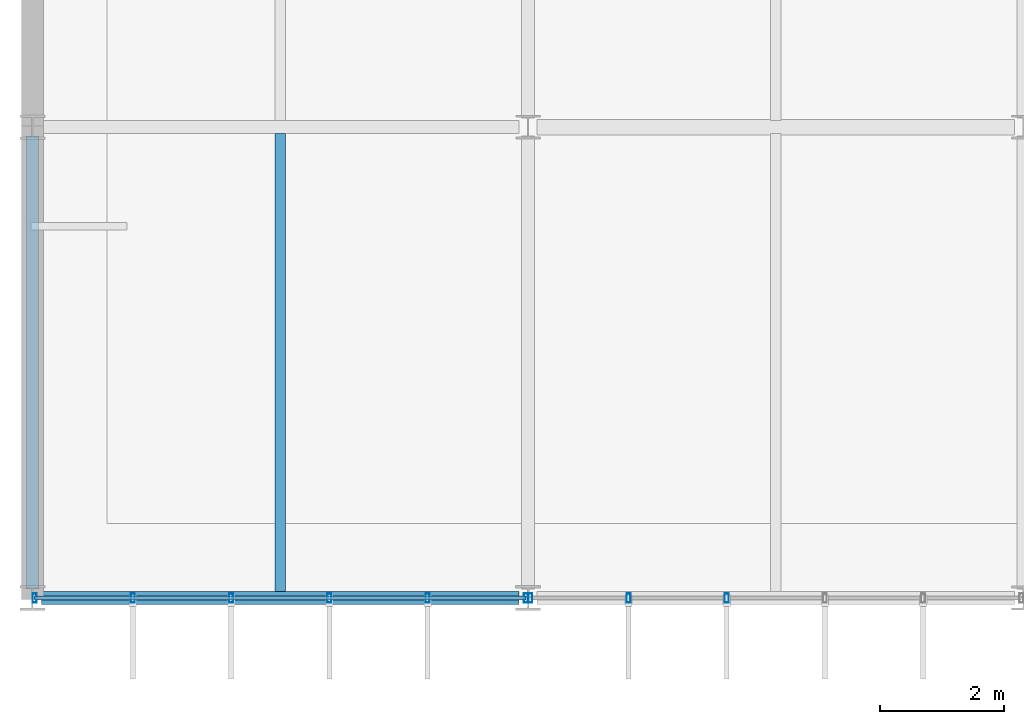
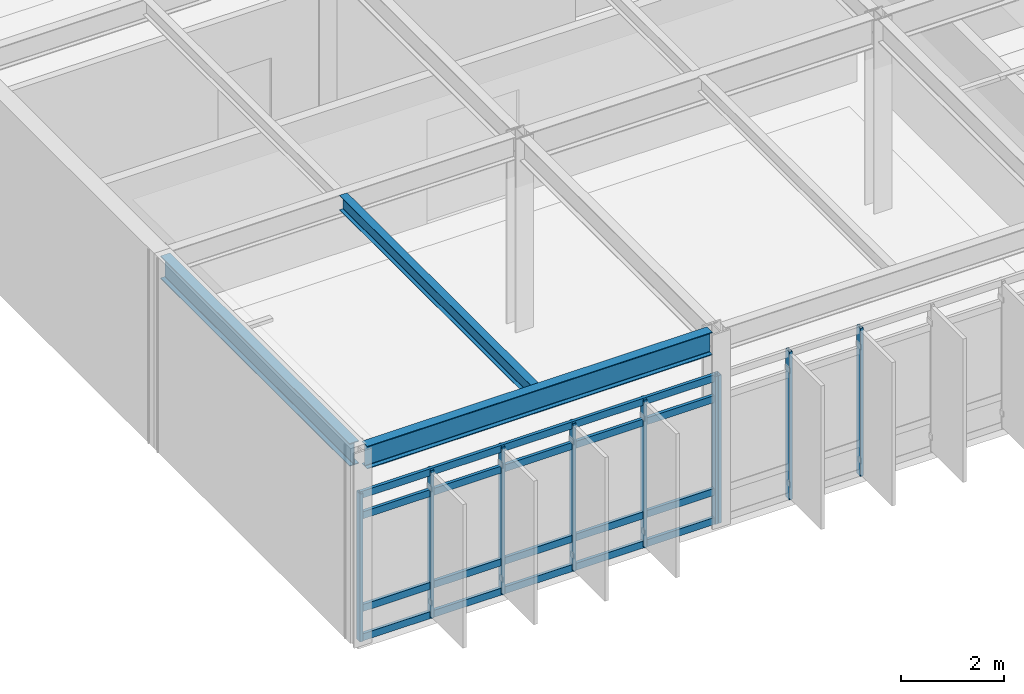
# One storey, part 19 of 104: 13 members, 3 beams, 2 elements without a shape of their own.
"""IFC4 building model written with IfcOpenShell, lengths in metres."""

import ifcopenshell
import ifcopenshell.guid

model = None  # the IFC model being written
_history = None  # IfcOwnerHistory: only IFC2X3 demands one
_inside = {}  # id of a spatial element -> (the spatial element, [elements in it])
_under = {}  # id of a project, library or spatial element -> (it, [spatial elements below it])
_declared = {}  # id of a project -> (the project, [libraries it declares])
_typed = {}  # id of a type object -> (the type object, [elements of that type])
_made_of = {}  # id of a material, layer set ... -> (it, [elements and type objects made of it])


def new_model(schema):
    """Start an empty IFC model of exactly this schema.

    Asked for "IFC4X3", IfcOpenShell would pick the latest addendum, in which some entities
    have other attributes; the version numbers below select the first issue.
    IFC2X3 requires an IfcOwnerHistory on every rooted entity: one is made here for all.
    """
    global model, _history
    if schema == "IFC4X3":
        model = ifcopenshell.file(schema_version=(4, 3, 0, 0))
    else:
        model = ifcopenshell.file(schema=schema)
    _inside.clear()
    _under.clear()
    _declared.clear()
    _typed.clear()
    _made_of.clear()
    _history = None
    if model.schema == "IFC2X3":
        org = make("IfcOrganization", Name="unknown")
        user = make(
            "IfcPersonAndOrganization",
            ThePerson=make("IfcPerson", FamilyName="unknown"),
            TheOrganization=org,
        )
        app = make(
            "IfcApplication",
            ApplicationDeveloper=org,
            Version="unknown",
            ApplicationFullName="unknown",
            ApplicationIdentifier="unknown",
        )
        _history = make(
            "IfcOwnerHistory",
            OwningUser=user,
            OwningApplication=app,
            ChangeAction="ADDED",
            CreationDate=0,
        )
    return model


def make(cls, **values):
    """One entity of the class cls with the attributes given. An attribute that is None is left unset."""
    return model.create_entity(
        cls, **{name: value for name, value in values.items() if value is not None}
    )


def rooted(cls, **values):
    """An entity with a GlobalId (a new one), such as an element, a storey or a relation."""
    return make(cls, GlobalId=ifcopenshell.guid.new(), OwnerHistory=_history, **values)


def si_unit(unit_type, name, prefix=None):
    """IfcSIUnit, for example si_unit("LENGTHUNIT", "METRE", prefix="MILLI")."""
    return make("IfcSIUnit", UnitType=unit_type, Prefix=prefix, Name=name)


def assignment(units):
    """IfcUnitAssignment: the units of a project."""
    return None if units is None else make("IfcUnitAssignment", Units=units)


def point(xyz):
    """IfcCartesianPoint."""
    return None if xyz is None else make("IfcCartesianPoint", Coordinates=xyz)


def direction(xyz):
    """IfcDirection."""
    return None if xyz is None else make("IfcDirection", DirectionRatios=xyz)


def frame(location, z_axis=None, x_axis=None):
    """IfcAxis2Placement3D, a coordinate frame: its origin and axes. An axis left out is left unset."""
    return make(
        "IfcAxis2Placement3D",
        Location=point(location),
        Axis=direction(z_axis),
        RefDirection=direction(x_axis),
    )


def frame_2d(location, x_axis=None):
    """IfcAxis2Placement2D, a coordinate frame in the plane: its origin and x axis."""
    return make(
        "IfcAxis2Placement2D", Location=point(location), RefDirection=direction(x_axis)
    )


def origin():
    """The frame at (0, 0, 0) with its axes left unset."""
    return frame((0.0, 0.0, 0.0))


def origin_2d():
    """The frame at (0, 0) in the plane with its x axis left unset."""
    return frame_2d((0.0, 0.0))


def place(relative_to, where):
    """IfcLocalPlacement: puts the frame where relative to a parent placement (None: the world)."""
    return make(
        "IfcLocalPlacement", PlacementRelTo=relative_to, RelativePlacement=where
    )


def context(
    kind, dimensions, precision=None, world=None, true_north=None, identifier=None
):
    """IfcGeometricRepresentationContext, for example the 3D "Model" context."""
    return make(
        "IfcGeometricRepresentationContext",
        ContextIdentifier=identifier,
        ContextType=kind,
        CoordinateSpaceDimension=dimensions,
        Precision=precision,
        WorldCoordinateSystem=world,
        TrueNorth=true_north,
    )


def subcontext(parent, identifier, kind, view, scale=None):
    """IfcGeometricRepresentationSubContext, for example "Body" below "Model"."""
    return make(
        "IfcGeometricRepresentationSubContext",
        ContextIdentifier=identifier,
        ContextType=kind,
        ParentContext=parent,
        TargetScale=scale,
        TargetView=view,
    )


def project(units=None, contexts=None):
    """IfcProject with its units and contexts."""
    return rooted(
        "IfcProject",
        Name="project",
        RepresentationContexts=contexts,
        UnitsInContext=assignment(units),
    )


def spatial(cls, under=None, at=None, **own):
    """A site, building, storey or space (cls), placed at a placement, below another one or the project."""
    s = rooted(cls, ObjectPlacement=at, **own)
    if under is not None:
        _under.setdefault(under.id(), (under, []))[1].append(s)
    return s


def profile(cls, at=None, kind="AREA", **sizes):
    """A parametric profile (cls). Its sizes go by their IFC names, for example OverallWidth=200.0."""
    return make(cls, ProfileType=kind, Position=at, **sizes)


def hollow_rectangle(**sizes):
    """IfcRectangleHollowProfileDef."""
    return profile("IfcRectangleHollowProfileDef", **sizes)


def i_section(**sizes):
    """IfcIShapeProfileDef."""
    return profile("IfcIShapeProfileDef", **sizes)


def extrude(swept, where, along, depth):
    """IfcExtrudedAreaSolid: the profile swept, set in the frame where, extruded along a direction by depth."""
    return make(
        "IfcExtrudedAreaSolid",
        SweptArea=swept,
        Position=where,
        ExtrudedDirection=direction(along),
        Depth=depth,
    )


def shape(context_of_items, identifier, shape_type, items):
    """IfcShapeRepresentation: the items that make up one representation, for example the "Body"."""
    return make(
        "IfcShapeRepresentation",
        ContextOfItems=context_of_items,
        RepresentationIdentifier=identifier,
        RepresentationType=shape_type,
        Items=items,
    )


def material(Name=None, Category=None):
    """IfcMaterial."""
    return make("IfcMaterial", Name=Name, Category=Category)


def material_profile(
    of_material, cross_section, Name=None, Category=None, Priority=None
):
    """IfcMaterialProfile: a cross section and its material."""
    return make(
        "IfcMaterialProfile",
        Name=Name,
        Material=of_material,
        Profile=cross_section,
        Priority=Priority,
        Category=Category,
    )


def profile_set(profiles, Name=None, composite=None):
    """IfcMaterialProfileSet."""
    return make(
        "IfcMaterialProfileSet",
        Name=Name,
        MaterialProfiles=profiles,
        CompositeProfile=composite,
    )


def made_of(thing, what):
    """Note that an element or type object is made of a material, layer set ...; save() writes the relation."""
    if what is not None:
        _made_of.setdefault(what.id(), (what, []))[1].append(thing)
    return thing


def type_object(cls, material=None, **own):
    """A type object (cls), such as IfcWallType, which elements share."""
    return made_of(rooted(cls, **own), material)


def element(
    cls,
    number,
    at=None,
    inside=None,
    cuts=None,
    type_object=None,
    material=None,
    context=None,
    identifier="Body",
    shape_type=None,
    held_by="IfcProductDefinitionShape",
    body=None,
    shapes=None,
    **own,
):
    """One element of the class cls, such as IfcWall. Its Tag is "e" and its number.

    at: its placement. inside: the storey or other place that contains it. cuts: it is an
    opening in that element (IfcRelVoidsElement). A single representation is given by context,
    identifier, shape_type and body (its items); several are given by shapes. held_by: the class
    of the entity that holds the representations. save() writes the other relations.
    """
    e = rooted(cls, Tag="e%d" % number, ObjectPlacement=at, **own)
    if body is not None:
        shapes = [shape(context, identifier, shape_type, body)]
    if shapes is not None:
        e.Representation = make(held_by, Representations=shapes)
    if inside is not None:
        _inside.setdefault(inside.id(), (inside, []))[1].append(e)
    if cuts is not None:
        rooted(
            "IfcRelVoidsElement", RelatingBuildingElement=cuts, RelatedOpeningElement=e
        )
    if type_object is not None:
        _typed.setdefault(type_object.id(), (type_object, []))[1].append(e)
    return made_of(e, material)


def aggregate(whole, parts):
    """IfcRelAggregates: a whole, such as a stair, and the parts it consists of."""
    return rooted("IfcRelAggregates", RelatingObject=whole, RelatedObjects=parts)


def save(model, path):
    """Write the relations noted so far, then the file.

    IfcRelAggregates (storeys below a building ...), IfcRelContainedInSpatialStructure (elements
    in a storey), IfcRelDefinesByType, IfcRelAssociatesMaterial and IfcRelDeclares: one each for
    every whole, place, type object, material and project.
    """
    for whole, parts in _under.values():
        aggregate(whole, parts)
    for where, things in _inside.values():
        rooted(
            "IfcRelContainedInSpatialStructure",
            RelatedElements=things,
            RelatingStructure=where,
        )
    for kind, things in _typed.values():
        rooted("IfcRelDefinesByType", RelatedObjects=things, RelatingType=kind)
    for what, things in _made_of.values():
        rooted("IfcRelAssociatesMaterial", RelatedObjects=things, RelatingMaterial=what)
    for by, libraries in _declared.values():
        rooted("IfcRelDeclares", RelatingContext=by, RelatedDefinitions=libraries)
    model.write(path)


model = new_model("IFC4")

# Units and contexts
model_context = context("Model", 3, precision=1e-05, world=origin(), true_north=direction((0.0, 1.0)))
body_context = subcontext(model_context, "Body", "Model", "MODEL_VIEW")
ifc_project = project(units=[si_unit("LENGTHUNIT", "METRE"), si_unit("AREAUNIT", "SQUARE_METRE"), si_unit("VOLUMEUNIT", "CUBIC_METRE"), si_unit("PLANEANGLEUNIT", "RADIAN"), si_unit("MASSUNIT", "GRAM", prefix="KILO")], contexts=[model_context])

# Site, building, storey
site_placement = place(None, origin())
site = spatial("IfcSite", under=ifc_project, at=site_placement, CompositionType="ELEMENT")
building_placement = place(site_placement, origin())
building = spatial("IfcBuilding", under=site, at=building_placement, Name="Zulena Civic Courthouse", CompositionType="ELEMENT")
storey_placement = place(building_placement, frame((0.0, 0.0, 15.60009765625)))
storey = spatial("IfcBuildingStorey", under=building, at=storey_placement, Name="L03", CompositionType="ELEMENT", Elevation=15.60009765625)

# Curtain wall, members
ifc_material_1 = material(Name="Double-silver low-E laminated solar-control glass", Category="glass")
curtain_wall_type = type_object("IfcCurtainWallType", Name="CW_7928x3490", PredefinedType="USERDEFINED", material=ifc_material_1)
curtain_wall_1_placement = place(storey_placement, origin())
curtain_wall_1 = element("IfcCurtainWall", 1, at=curtain_wall_1_placement, inside=storey, type_object=curtain_wall_type, Name="cw:V2:L03:3:6", ObjectType="UNITISED CURTAIN WALL", PredefinedType="USERDEFINED")
ifc_material_2 = material(Name="Bronze anodised thermally broken aluminium AA6063-T6", Category="aluminium")
ifc_material_profile_1 = material_profile(ifc_material_2, hollow_rectangle(XDim=0.06494140625, YDim=0.14990234375, WallThickness=0.00390625, at=origin_2d()), Name="CWM150X65X4")
ifc_profile_set_1 = profile_set([ifc_material_profile_1], Name="Bronze anodised thermally broken aluminium AA6063-T6")
member_type_1 = type_object("IfcMemberType", Name="CWMullion_150x65", PredefinedType="MULLION", material=ifc_profile_set_1)
member_1_placement = place(storey_placement, frame((15.207275390625, 0.0, 0.0), z_axis=(0.0, 0.0, 1.0), x_axis=(1.0, 0.0, 0.0)))
member_1 = element("IfcMember", 2, at=member_1_placement, type_object=member_type_1, Name="cw:V2:L03:3:6:mull:3", PredefinedType="MULLION", context=body_context, shape_type="SweptSolid", body=[
    extrude(hollow_rectangle(XDim=0.06494140625, YDim=0.14990234375, WallThickness=0.00390625, at=origin_2d()), origin(), (0.0, 0.0, 1.0), 3.489990234375),
])
member_2_placement = place(storey_placement, frame((13.62158203125, 0.0, 0.0), z_axis=(0.0, 0.0, 1.0), x_axis=(1.0, 0.0, 0.0)))
member_2 = element("IfcMember", 3, at=member_2_placement, type_object=member_type_1, Name="cw:V2:L03:3:6:mull:4", PredefinedType="MULLION", context=body_context, shape_type="SweptSolid", body=[
    extrude(hollow_rectangle(XDim=0.06494140625, YDim=0.14990234375, WallThickness=0.00390625, at=origin_2d()), origin(), (0.0, 0.0, 1.0), 3.489990234375),
])
member_3_placement = place(storey_placement, frame((12.035888671875, 0.0, 0.0), z_axis=(0.0, 0.0, 1.0), x_axis=(1.0, 0.0, 0.0)))
member_3 = element("IfcMember", 4, at=member_3_placement, type_object=member_type_1, Name="cw:V2:L03:3:6:mull:5", PredefinedType="MULLION", context=body_context, shape_type="SweptSolid", body=[
    extrude(hollow_rectangle(XDim=0.06494140625, YDim=0.14990234375, WallThickness=0.00390625, at=origin_2d()), origin(), (0.0, 0.0, 1.0), 3.489990234375),
])
aggregate(curtain_wall_1, [member_1, member_2, member_3])

curtain_wall_2_placement = place(storey_placement, origin())
curtain_wall_2 = element("IfcCurtainWall", 5, at=curtain_wall_2_placement, inside=storey, type_object=curtain_wall_type, Name="cw:V2:L03:3:7", ObjectType="UNITISED CURTAIN WALL", PredefinedType="USERDEFINED")
member_4_placement = place(storey_placement, frame((11.964111328125, 0.0, 0.0), z_axis=(0.0, 0.0, 1.0), x_axis=(1.0, 0.0, 0.0)))
member_4 = element("IfcMember", 6, at=member_4_placement, type_object=member_type_1, Name="cw:V2:L03:3:7:mull:0", PredefinedType="MULLION", context=body_context, shape_type="SweptSolid", body=[
    extrude(hollow_rectangle(XDim=0.06494140625, YDim=0.14990234375, WallThickness=0.00390625, at=origin_2d()), origin(), (0.0, 0.0, 1.0), 3.489990234375),
])
member_5_placement = place(storey_placement, frame((10.37841796875, 0.0, 0.0), z_axis=(0.0, 0.0, 1.0), x_axis=(1.0, 0.0, 0.0)))
member_5 = element("IfcMember", 7, at=member_5_placement, type_object=member_type_1, Name="cw:V2:L03:3:7:mull:1", PredefinedType="MULLION", context=body_context, shape_type="SweptSolid", body=[
    extrude(hollow_rectangle(XDim=0.06494140625, YDim=0.14990234375, WallThickness=0.00390625, at=origin_2d()), origin(), (0.0, 0.0, 1.0), 3.489990234375),
])
member_6_placement = place(storey_placement, frame((8.792724609375, 0.0, 0.0), z_axis=(0.0, 0.0, 1.0), x_axis=(1.0, 0.0, 0.0)))
member_6 = element("IfcMember", 8, at=member_6_placement, type_object=member_type_1, Name="cw:V2:L03:3:7:mull:2", PredefinedType="MULLION", context=body_context, shape_type="SweptSolid", body=[
    extrude(hollow_rectangle(XDim=0.06494140625, YDim=0.14990234375, WallThickness=0.00390625, at=origin_2d()), origin(), (0.0, 0.0, 1.0), 3.489990234375),
])
member_7_placement = place(storey_placement, frame((7.207275390625, 0.0, 0.0), z_axis=(0.0, 0.0, 1.0), x_axis=(1.0, 0.0, 0.0)))
member_7 = element("IfcMember", 9, at=member_7_placement, type_object=member_type_1, Name="cw:V2:L03:3:7:mull:3", PredefinedType="MULLION", context=body_context, shape_type="SweptSolid", body=[
    extrude(hollow_rectangle(XDim=0.06494140625, YDim=0.14990234375, WallThickness=0.00390625, at=origin_2d()), origin(), (0.0, 0.0, 1.0), 3.489990234375),
])
member_8_placement = place(storey_placement, frame((5.62158203125, 0.0, 0.0), z_axis=(0.0, 0.0, 1.0), x_axis=(1.0, 0.0, 0.0)))
member_8 = element("IfcMember", 10, at=member_8_placement, type_object=member_type_1, Name="cw:V2:L03:3:7:mull:4", PredefinedType="MULLION", context=body_context, shape_type="SweptSolid", body=[
    extrude(hollow_rectangle(XDim=0.06494140625, YDim=0.14990234375, WallThickness=0.00390625, at=origin_2d()), origin(), (0.0, 0.0, 1.0), 3.489990234375),
])
member_9_placement = place(storey_placement, frame((4.035888671875, 0.0, 0.0), z_axis=(0.0, 0.0, 1.0), x_axis=(1.0, 0.0, 0.0)))
member_9 = element("IfcMember", 11, at=member_9_placement, type_object=member_type_1, Name="cw:V2:L03:3:7:mull:5", PredefinedType="MULLION", context=body_context, shape_type="SweptSolid", body=[
    extrude(hollow_rectangle(XDim=0.06494140625, YDim=0.14990234375, WallThickness=0.00390625, at=origin_2d()), origin(), (0.0, 0.0, 1.0), 3.489990234375),
])
ifc_material_profile_2 = material_profile(ifc_material_2, hollow_rectangle(XDim=0.070068359375, YDim=0.1650390625, WallThickness=0.00390625, at=origin_2d()), Name="CWT165X70X4")
ifc_profile_set_2 = profile_set([ifc_material_profile_2], Name="Bronze anodised thermally broken aluminium AA6063-T6")
member_type_2 = type_object("IfcMemberType", Name="CWTransom_165x70", PredefinedType="USERDEFINED", material=ifc_profile_set_2)
member_10_placement = place(storey_placement, frame((11.964111328125, 0.0, 0.059814453125), z_axis=(-1.0, 0.0, 0.0), x_axis=(0.0, -1.0, 0.0)))
member_10 = element("IfcMember", 12, at=member_10_placement, type_object=member_type_2, Name="cw:V2:L03:3:7:tran:0", ObjectType="TRANSOM", PredefinedType="USERDEFINED", context=body_context, shape_type="SweptSolid", body=[
    extrude(hollow_rectangle(XDim=0.070068359375, YDim=0.1650390625, WallThickness=0.00390625, at=origin_2d()), origin(), (0.0, 0.0, 1.0), 7.92822265625),
])
member_11_placement = place(storey_placement, frame((11.964111328125, 0.0, 0.75), z_axis=(-1.0, 0.0, 0.0), x_axis=(0.0, -1.0, 0.0)))
member_11 = element("IfcMember", 13, at=member_11_placement, type_object=member_type_2, Name="cw:V2:L03:3:7:tran:1", ObjectType="TRANSOM", PredefinedType="USERDEFINED", context=body_context, shape_type="SweptSolid", body=[
    extrude(hollow_rectangle(XDim=0.070068359375, YDim=0.1650390625, WallThickness=0.00390625, at=origin_2d()), origin(), (0.0, 0.0, 1.0), 7.92822265625),
])
member_12_placement = place(storey_placement, frame((11.964111328125, 0.0, 2.93994140625), z_axis=(-1.0, 0.0, 0.0), x_axis=(0.0, -1.0, 0.0)))
member_12 = element("IfcMember", 14, at=member_12_placement, type_object=member_type_2, Name="cw:V2:L03:3:7:tran:2", ObjectType="TRANSOM", PredefinedType="USERDEFINED", context=body_context, shape_type="SweptSolid", body=[
    extrude(hollow_rectangle(XDim=0.070068359375, YDim=0.1650390625, WallThickness=0.00390625, at=origin_2d()), origin(), (0.0, 0.0, 1.0), 7.92822265625),
])
member_13_placement = place(storey_placement, frame((11.964111328125, 0.0, 3.429931640625), z_axis=(-1.0, 0.0, 0.0), x_axis=(0.0, -1.0, 0.0)))
member_13 = element("IfcMember", 15, at=member_13_placement, type_object=member_type_2, Name="cw:V2:L03:3:7:tran:3", ObjectType="TRANSOM", PredefinedType="USERDEFINED", context=body_context, shape_type="SweptSolid", body=[
    extrude(hollow_rectangle(XDim=0.070068359375, YDim=0.1650390625, WallThickness=0.00390625, at=origin_2d()), origin(), (0.0, 0.0, 1.0), 7.92822265625),
])
aggregate(curtain_wall_2, [member_4, member_5, member_6, member_7, member_8, member_9, member_10, member_11, member_12, member_13])

# Beams
ifc_material_3 = material(Name="Steel ASTM A992 Grade 50", Category="steel")
ifc_material_profile_3 = material_profile(ifc_material_3, i_section(OverallWidth=0.1708984375, OverallDepth=0.35205078125, WebThickness=0.0068359375, FlangeThickness=0.009765625, FilletRadius=0.01025390625, at=origin_2d()), Name="W14X30")
ifc_profile_set_3 = profile_set([ifc_material_profile_3], Name="Steel ASTM A992 Grade 50")
beam_type_1 = type_object("IfcBeamType", Name="Joist_W14X30", PredefinedType="JOIST", material=ifc_profile_set_3)
beam_1_placement = place(storey_placement, frame((8.0, 0.10498046875, 4.413818359375), z_axis=(0.0, 1.0, 0.0), x_axis=(-1.0, 0.0, 0.0)))
element("IfcBeam", 16, at=beam_1_placement, inside=storey, type_object=beam_type_1, Name="joist:V2:L03:8.00:0.0_7.6", PredefinedType="JOIST", context=body_context, shape_type="SweptSolid", body=[
    extrude(i_section(OverallWidth=0.1708984375, OverallDepth=0.35205078125, WebThickness=0.0068359375, FlangeThickness=0.009765625, FilletRadius=0.01025390625, at=origin_2d()), origin(), (0.0, 0.0, 1.0), 7.39013671875),
])
ifc_material_profile_4 = material_profile(ifc_material_3, i_section(OverallWidth=0.2099609375, OverallDepth=0.537109375, WebThickness=0.010986328125, FlangeThickness=0.017333984375, FilletRadius=0.0126953125, at=origin_2d()), Name="W21X68")
ifc_profile_set_4 = profile_set([ifc_material_profile_4], Name="Steel ASTM A992 Grade 50")
beam_type_2 = type_object("IfcBeamType", Name="Spandrel_W21X68", PredefinedType="SPANDREL", material=ifc_profile_set_4)
beam_2_placement = place(storey_placement, frame((4.14501953125, 0.0, 4.3212890625), z_axis=(1.0, 0.0, 0.0), x_axis=(0.0, 1.0, 0.0)))
element("IfcBeam", 17, at=beam_2_placement, inside=storey, type_object=beam_type_2, Name="beam:X:V2:L03:0.0:4.0_12.0", PredefinedType="SPANDREL", context=body_context, shape_type="SweptSolid", body=[
    extrude(i_section(OverallWidth=0.2099609375, OverallDepth=0.537109375, WebThickness=0.010986328125, FlangeThickness=0.017333984375, FilletRadius=0.0126953125, at=origin_2d()), origin(), (0.0, 0.0, 1.0), 7.7099609375),
])
beam_3_placement = place(storey_placement, frame((4.0, 0.14501953125, 4.3212890625), z_axis=(0.0, 1.0, 0.0), x_axis=(-1.0, 0.0, 0.0)))
element("IfcBeam", 18, at=beam_3_placement, inside=storey, type_object=beam_type_2, Name="beam:Y:V2:L03:4.0:0.0_7.6", PredefinedType="SPANDREL", context=body_context, shape_type="SweptSolid", body=[
    extrude(i_section(OverallWidth=0.2099609375, OverallDepth=0.537109375, WebThickness=0.010986328125, FlangeThickness=0.017333984375, FilletRadius=0.0126953125, at=origin_2d()), origin(), (0.0, 0.0, 1.0), 7.31005859375),
])

save(model, "model.ifc")
